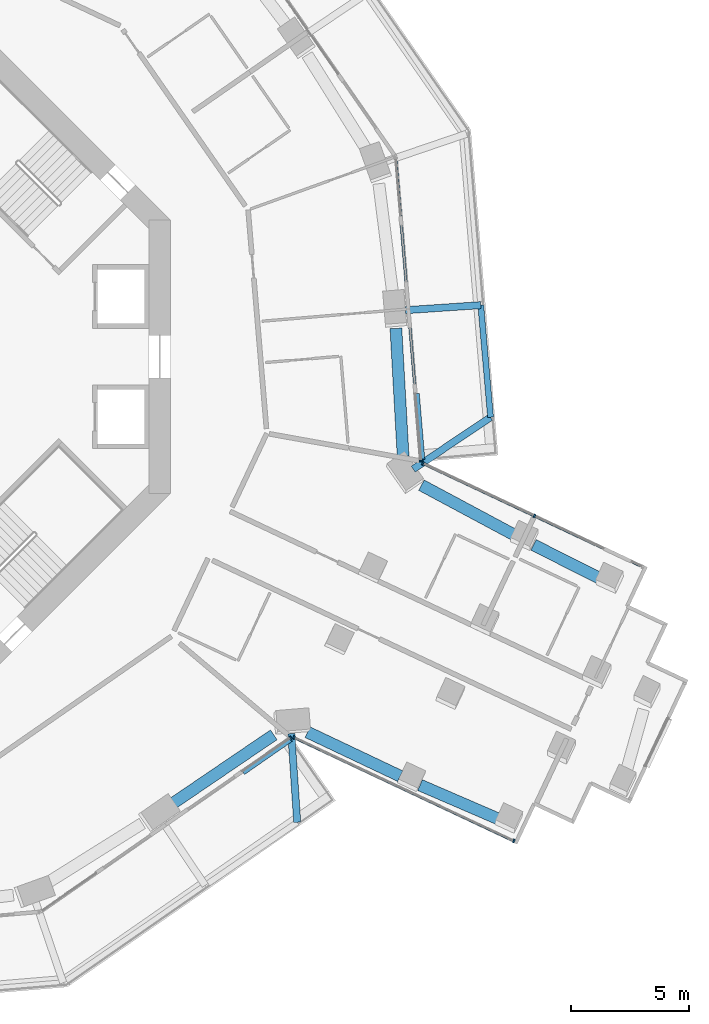
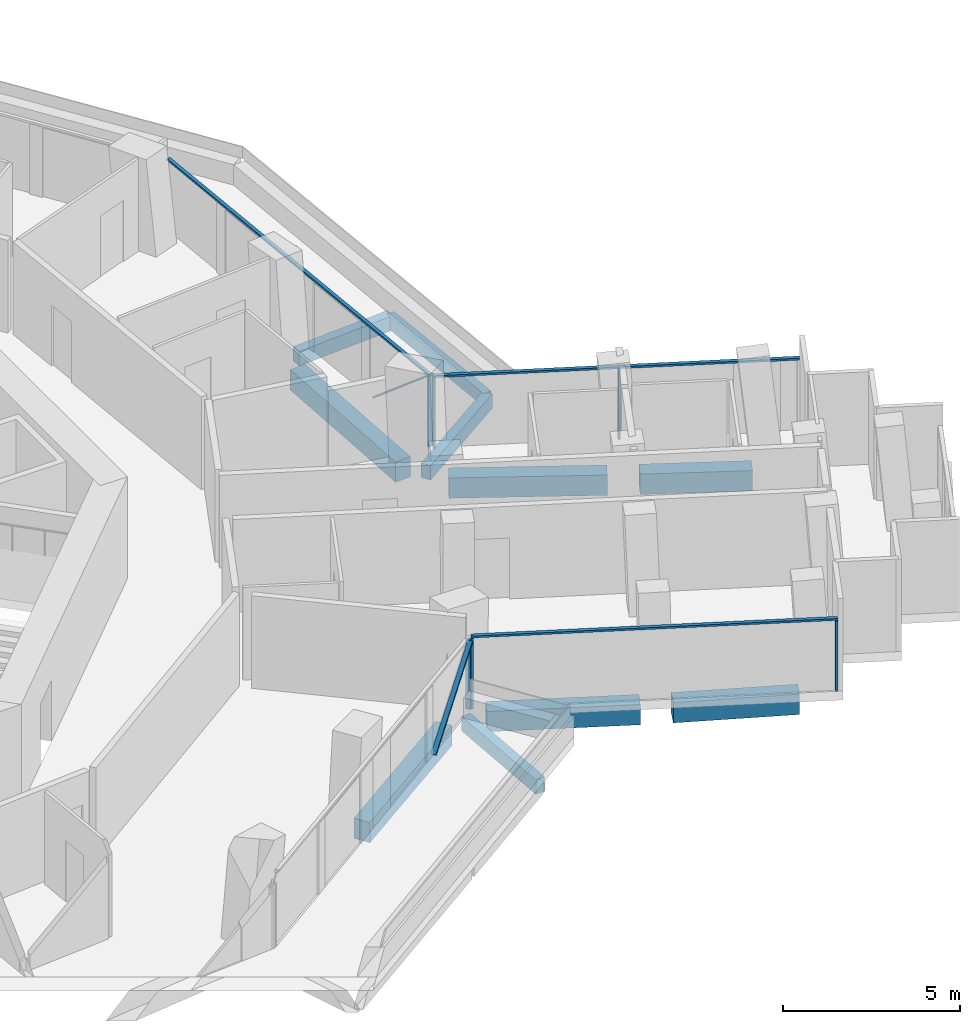
# One storey, part 6 of 26: 11 members, 10 beams, 4 elements without a shape of their own.
"""IFC4 building model written with IfcOpenShell, lengths in metres."""

from ifc_helpers import new_model, si_unit, direction, frame, origin, origin_2d, place, context, subcontext, project, spatial, rectangle, extrude, material, layer, layer_set, material_profile, profile_set, type_object, element, aggregate, save


model = new_model("IFC4")

# Units and contexts
model_context = context("Model", 3, precision=1e-05, world=origin(), true_north=direction((0.0, 1.0)))
body_context = subcontext(model_context, "Body", "Model", "MODEL_VIEW")
ifc_project = project(units=[si_unit("LENGTHUNIT", "METRE"), si_unit("AREAUNIT", "SQUARE_METRE"), si_unit("VOLUMEUNIT", "CUBIC_METRE"), si_unit("PLANEANGLEUNIT", "RADIAN"), si_unit("MASSUNIT", "GRAM", prefix="KILO")], contexts=[model_context])

# Site, building, storey
site_placement = place(None, origin())
site = spatial("IfcSite", under=ifc_project, at=site_placement, CompositionType="ELEMENT")
building_placement = place(site_placement, origin())
building = spatial("IfcBuilding", under=site, at=building_placement, Name="Verdalira Terraces Hotel", CompositionType="ELEMENT")
storey_placement = place(building_placement, frame((0.0, 0.0, 53.0)))
storey = spatial("IfcBuildingStorey", under=building, at=storey_placement, Name="L11", CompositionType="ELEMENT", Elevation=53.0)

# Beams
ifc_material_1 = material(Name="Concrete C40", Category="concrete")
ifc_material_profile_1 = material_profile(ifc_material_1, rectangle(XDim=0.300049, YDim=0.5, at=origin_2d()), Name="RC 300X500")
ifc_profile_set_1 = profile_set([ifc_material_profile_1], Name="Concrete C40")
beam_type_1 = type_object("IfcBeamType", Name="Balcony cantilever beam RC 300X500 C40", PredefinedType="BEAM", material=ifc_profile_set_1)
beam_1_placement = place(storey_placement, frame((19.130859, -15.996826, -0.560059), z_axis=(0.066961721, -0.997755545, 0.0), x_axis=(0.997755545, 0.066961721, 0.0)))
element("IfcBeam", 1, at=beam_1_placement, inside=storey, type_object=beam_type_1, Name="Balcony cantilever beam R26-5", PredefinedType="BEAM", context=body_context, shape_type="SweptSolid", body=[
    extrude(rectangle(XDim=0.300049, YDim=0.5, at=origin_2d()), origin(), (0.0, 0.0, 1.0), 3.77002),
])
beam_2_placement = place(storey_placement, frame((24.305664, -4.772705, -0.560059), z_axis=(0.830602176, 0.556866255, 0.0), x_axis=(-0.556866255, 0.830602176, 0.0)))
element("IfcBeam", 2, at=beam_2_placement, inside=storey, type_object=beam_type_1, Name="Balcony cantilever beam R39-1", PredefinedType="BEAM", context=body_context, shape_type="SweptSolid", body=[
    extrude(rectangle(XDim=0.300049, YDim=0.5, at=origin_2d()), origin(), (0.0, 0.0, 1.0), 3.950195),
])
beam_3_placement = place(storey_placement, frame((23.977295, 1.970703, -0.560059), z_axis=(0.997755019, 0.066969567, 0.0), x_axis=(-0.066969567, 0.997755019, 0.0)))
element("IfcBeam", 3, at=beam_3_placement, inside=storey, type_object=beam_type_1, Name="Balcony cantilever beam R39-2", PredefinedType="BEAM", context=body_context, shape_type="SweptSolid", body=[
    extrude(rectangle(XDim=0.300049, YDim=0.5, at=origin_2d()), origin(), (0.0, 0.0, 1.0), 3.200684),
])
ifc_material_2 = material(Name="Concrete C40", Category="concrete")
ifc_material_profile_2 = material_profile(ifc_material_2, rectangle(XDim=0.25, YDim=0.449951, at=origin_2d()), Name="RC 250X450")
ifc_profile_set_2 = profile_set([ifc_material_profile_2], Name="Concrete C40")
beam_type_2 = type_object("IfcBeamType", Name="Balcony edge beam RC 250X450 C40", PredefinedType="BEAM", material=ifc_profile_set_2)
beam_4_placement = place(storey_placement, frame((27.58667, -2.572998, -0.534912), z_axis=(-0.08705091, 0.996203864, 0.0), x_axis=(-0.996203864, -0.08705091, 0.0)))
element("IfcBeam", 4, at=beam_4_placement, inside=storey, type_object=beam_type_2, Name="Balcony edge beam R39-1", PredefinedType="BEAM", context=body_context, shape_type="SweptSolid", body=[
    extrude(rectangle(XDim=0.25, YDim=0.449951, at=origin_2d()), origin(), (0.0, 0.0, 1.0), 4.776123),
])

# Curtain wall, member
ifc_material_3 = material(Name="Clear glass", Category="glass")
ifc_layer_1 = layer(ifc_material_3, 0.14990234375)
ifc_layer_set_1 = layer_set([ifc_layer_1], Name="CW1 curtain wall")
curtain_wall_type_1 = type_object("IfcCurtainWallType", Name="CW1 curtain wall", PredefinedType="NOTDEFINED", material=ifc_layer_set_1)
curtain_wall_1_placement = place(storey_placement, origin())
curtain_wall_1 = element("IfcCurtainWall", 5, at=curtain_wall_1_placement, inside=storey, type_object=curtain_wall_type_1, Name="CW1 curtain wall L11 edge 27", PredefinedType="NOTDEFINED")
ifc_material_4 = material(Name="Terracotta frame", Category="masonry")
ifc_material_profile_3 = material_profile(ifc_material_4, rectangle(XDim=0.060059, YDim=0.149902, at=origin_2d()), Name="MU 60x150")
ifc_profile_set_3 = profile_set([ifc_material_profile_3], Name="Terracotta frame")
member_type_1 = type_object("IfcMemberType", Name="CW1 mullion 60x150", PredefinedType="MULLION", material=ifc_profile_set_3)
member_1_placement = place(storey_placement, frame((19.114502, -16.165527, 0.0), z_axis=(0.0, 0.0, 1.0), x_axis=(0.821149209, 0.570713568, 0.0)))
member_1 = element("IfcMember", 6, at=member_1_placement, type_object=member_type_1, Name="CW1 mullion", PredefinedType="MULLION", context=body_context, shape_type="SweptSolid", body=[
    extrude(rectangle(XDim=0.060059, YDim=0.149902, at=origin_2d()), origin(), (0.0, 0.0, 1.0), 2.425049),
])

# Curtain wall, members
curtain_wall_2_placement = place(storey_placement, origin())
curtain_wall_2 = element("IfcCurtainWall", 7, at=curtain_wall_2_placement, inside=storey, type_object=curtain_wall_type_1, Name="CW1 curtain wall L11 edge 39", PredefinedType="NOTDEFINED")
member_2_placement = place(storey_placement, frame((24.639893, -4.423584, 0.0), z_axis=(0.0, 0.0, 1.0), x_axis=(-0.083677843, 0.996492859, 0.0)))
member_2 = element("IfcMember", 8, at=member_2_placement, type_object=member_type_1, Name="CW1 mullion", PredefinedType="MULLION", context=body_context, shape_type="SweptSolid", body=[
    extrude(rectangle(XDim=0.060059, YDim=0.149902, at=origin_2d()), origin(), (0.0, 0.0, 1.0), 2.425049),
])
ifc_material_5 = material(Name="Terracotta frame", Category="masonry")
ifc_material_profile_4 = material_profile(ifc_material_5, rectangle(XDim=0.110107, YDim=0.064941, at=origin_2d()), Name="TR 65x110")
ifc_profile_set_4 = profile_set([ifc_material_profile_4], Name="Terracotta frame")
member_type_2 = type_object("IfcMemberType", Name="CW1 transom 65x110", PredefinedType="USERDEFINED", material=ifc_profile_set_4)
member_3_placement = place(storey_placement, frame((24.642334, -4.453613, 2.45752), z_axis=(-0.083679991, 0.996492679, 0.0), x_axis=(-0.996492679, -0.083679991, 0.0)))
member_3 = element("IfcMember", 9, at=member_3_placement, type_object=member_type_2, Name="CW1 transom", ObjectType="TRANSOM", PredefinedType="USERDEFINED", context=body_context, shape_type="SweptSolid", body=[
    extrude(rectangle(XDim=0.110107, YDim=0.064941, at=origin_2d()), origin(), (0.0, 0.0, 1.0), 12.959717),
])

ifc_material_6 = material(Name="Clear glass", Category="glass")
ifc_layer_2 = layer(ifc_material_6, 0.14990234375)
ifc_layer_set_2 = layer_set([ifc_layer_2], Name="CW2 curtain wall")
curtain_wall_type_2 = type_object("IfcCurtainWallType", Name="CW2 curtain wall", PredefinedType="NOTDEFINED", material=ifc_layer_set_2)
curtain_wall_3_placement = place(storey_placement, origin())
curtain_wall_3 = element("IfcCurtainWall", 10, at=curtain_wall_3_placement, inside=storey, type_object=curtain_wall_type_2, Name="CW2 curtain wall L11 edge 28", PredefinedType="NOTDEFINED")
ifc_material_7 = material(Name="Terracotta frame", Category="masonry")
ifc_material_profile_5 = material_profile(ifc_material_7, rectangle(XDim=0.070068, YDim=0.149902, at=origin_2d()), Name="MU 70x150")
ifc_profile_set_5 = profile_set([ifc_material_profile_5], Name="Terracotta frame")
member_type_3 = type_object("IfcMemberType", Name="CW2 mullion 70x150", PredefinedType="MULLION", material=ifc_profile_set_5)
member_4_placement = place(storey_placement, frame((19.245605, -16.157227, 0.0), z_axis=(0.0, 0.0, 1.0), x_axis=(0.904827052, -0.425779292, 0.0)))
member_4 = element("IfcMember", 11, at=member_4_placement, type_object=member_type_3, Name="CW2 mullion", PredefinedType="MULLION", context=body_context, shape_type="SweptSolid", body=[
    extrude(rectangle(XDim=0.070068, YDim=0.149902, at=origin_2d()), origin(), (0.0, 0.0, 1.0), 2.425049),
])
member_5_placement = place(storey_placement, frame((28.576904, -20.548096, 0.0), z_axis=(0.0, 0.0, 1.0), x_axis=(0.904827052, -0.425779292, 0.0)))
member_5 = element("IfcMember", 12, at=member_5_placement, type_object=member_type_3, Name="CW2 mullion", PredefinedType="MULLION", context=body_context, shape_type="SweptSolid", body=[
    extrude(rectangle(XDim=0.070068, YDim=0.149902, at=origin_2d()), origin(), (0.0, 0.0, 1.0), 2.425049),
])

curtain_wall_4_placement = place(storey_placement, origin())
curtain_wall_4 = element("IfcCurtainWall", 13, at=curtain_wall_4_placement, inside=storey, type_object=curtain_wall_type_2, Name="CW2 curtain wall L11 edge 38", PredefinedType="NOTDEFINED")
member_6_placement = place(storey_placement, frame((29.450439, -6.757568, 0.0), z_axis=(0.0, 0.0, 1.0), x_axis=(-0.904827052, 0.425779292, 0.0)))
member_6 = element("IfcMember", 14, at=member_6_placement, type_object=member_type_3, Name="CW2 mullion", PredefinedType="MULLION", context=body_context, shape_type="SweptSolid", body=[
    extrude(rectangle(XDim=0.070068, YDim=0.149902, at=origin_2d()), origin(), (0.0, 0.0, 1.0), 2.425049),
])
member_7_placement = place(storey_placement, frame((24.716797, -4.530029, 0.0), z_axis=(0.0, 0.0, 1.0), x_axis=(-0.904827052, 0.425779292, 0.0)))
member_7 = element("IfcMember", 15, at=member_7_placement, type_object=member_type_3, Name="CW2 mullion", PredefinedType="MULLION", context=body_context, shape_type="SweptSolid", body=[
    extrude(rectangle(XDim=0.070068, YDim=0.149902, at=origin_2d()), origin(), (0.0, 0.0, 1.0), 2.425049),
])

# Member
ifc_material_8 = material(Name="Terracotta frame", Category="masonry")
ifc_material_profile_6 = material_profile(ifc_material_8, rectangle(XDim=0.11499, YDim=0.064941, at=origin_2d()), Name="TR 65x115")
ifc_profile_set_6 = profile_set([ifc_material_profile_6], Name="Terracotta frame")
member_type_4 = type_object("IfcMemberType", Name="CW2 transom 65x115", PredefinedType="USERDEFINED", material=ifc_profile_set_6)
member_8_placement = place(storey_placement, frame((19.213867, -16.14209, 2.45752), z_axis=(0.904820834, -0.425792507, 0.0), x_axis=(0.425792507, 0.904820834, 0.0)))
member_8 = element("IfcMember", 16, at=member_8_placement, type_object=member_type_4, Name="CW2 transom", ObjectType="TRANSOM", PredefinedType="USERDEFINED", context=body_context, shape_type="SweptSolid", body=[
    extrude(rectangle(XDim=0.11499, YDim=0.064941, at=origin_2d()), origin(), (0.0, 0.0, 1.0), 10.382812),
])

aggregate(curtain_wall_3, [member_4, member_5, member_8])

member_9_placement = place(storey_placement, frame((34.079834, -8.935791, 2.45752), z_axis=(-0.904829893, 0.425773255, 0.0), x_axis=(-0.425773255, -0.904829893, 0.0)))
member_9 = element("IfcMember", 17, at=member_9_placement, type_object=member_type_4, Name="CW2 transom", ObjectType="TRANSOM", PredefinedType="USERDEFINED", context=body_context, shape_type="SweptSolid", body=[
    extrude(rectangle(XDim=0.11499, YDim=0.064941, at=origin_2d()), origin(), (0.0, 0.0, 1.0), 10.382568),
])

aggregate(curtain_wall_4, [member_6, member_7, member_9])

ifc_material_9 = material(Name="Terracotta frame", Category="masonry")
ifc_material_profile_7 = material_profile(ifc_material_9, rectangle(XDim=0.149902, YDim=0.060059, at=origin_2d()), Name="GB 60x150")
ifc_profile_set_7 = profile_set([ifc_material_profile_7], Name="Terracotta frame")
member_type_5 = type_object("IfcMemberType", Name="Diagonal glazing bar 60x150", PredefinedType="USERDEFINED", material=ifc_profile_set_7)
member_10_placement = place(storey_placement, frame((17.123779, -17.657471, 0.022949), z_axis=(0.587099049, 0.408020566, 0.699166593), x_axis=(-0.570691024, 0.821164877, 0.0)))
member_10 = element("IfcMember", 18, at=member_10_placement, type_object=member_type_5, Name="Diagonal glazing bar", ObjectType="GLAZING BAR", PredefinedType="USERDEFINED", context=body_context, shape_type="SweptSolid", body=[
    extrude(rectangle(XDim=0.149902, YDim=0.060059, at=origin_2d()), origin(), (0.0, 0.0, 1.0), 3.402832),
])

aggregate(curtain_wall_1, [member_1, member_10])

member_11_placement = place(storey_placement, frame((24.723633, -4.358154, 2.400879), z_axis=(-0.063634986, 0.757816641, -0.649357011), x_axis=(-0.996492931, -0.083676988, 0.0)))
member_11 = element("IfcMember", 19, at=member_11_placement, type_object=member_type_5, Name="Diagonal glazing bar", ObjectType="GLAZING BAR", PredefinedType="USERDEFINED", context=body_context, shape_type="SweptSolid", body=[
    extrude(rectangle(XDim=0.149902, YDim=0.060059, at=origin_2d()), origin(), (0.0, 0.0, 1.0), 3.660156),
])

aggregate(curtain_wall_2, [member_2, member_3, member_11])

# Beams
ifc_material_10 = material(Name="Concrete C70", Category="concrete")
ifc_material_profile_8 = material_profile(ifc_material_10, rectangle(XDim=0.5, YDim=0.699951, at=origin_2d()), Name="RC 500X700")
ifc_profile_set_8 = profile_set([ifc_material_profile_8], Name="Concrete C70")
beam_type_3 = type_object("IfcBeamType", Name="Spandrel beam RC 500X700 C70", PredefinedType="SPANDREL", material=ifc_profile_set_8)
beam_5_placement = place(storey_placement, frame((13.993408, -19.032959, -0.659912), z_axis=(0.827067527, 0.562102576, 0.0), x_axis=(-0.562102576, 0.827067527, 0.0)))
element("IfcBeam", 20, at=beam_5_placement, inside=storey, type_object=beam_type_3, Name="Spandrel beam B24", PredefinedType="SPANDREL", context=body_context, shape_type="SweptSolid", body=[
    extrude(rectangle(XDim=0.5, YDim=0.699951, at=origin_2d()), origin(), (0.0, 0.0, 1.0), 5.312012),
])
beam_6_placement = place(storey_placement, frame((19.824951, -15.935791, -0.659912), z_axis=(0.903448301, -0.428697058, 0.0), x_axis=(0.428697058, 0.903448301, 0.0)))
element("IfcBeam", 21, at=beam_6_placement, inside=storey, type_object=beam_type_3, Name="Spandrel beam B25", PredefinedType="SPANDREL", context=body_context, shape_type="SweptSolid", body=[
    extrude(rectangle(XDim=0.5, YDim=0.699951, at=origin_2d()), origin(), (0.0, 0.0, 1.0), 4.346924),
])
beam_7_placement = place(storey_placement, frame((24.594238, -18.18042, -0.659912), z_axis=(0.9180303, -0.396510236, 0.0), x_axis=(0.396510236, 0.9180303, 0.0)))
element("IfcBeam", 22, at=beam_7_placement, inside=storey, type_object=beam_type_3, Name="Spandrel beam B26", PredefinedType="SPANDREL", context=body_context, shape_type="SweptSolid", body=[
    extrude(rectangle(XDim=0.5, YDim=0.699951, at=origin_2d()), origin(), (0.0, 0.0, 1.0), 3.591553),
])
beam_8_placement = place(storey_placement, frame((32.250977, -9.423096, -0.659912), z_axis=(-0.892685, 0.450681141, 0.0), x_axis=(-0.450681141, -0.892685, 0.0)))
element("IfcBeam", 23, at=beam_8_placement, inside=storey, type_object=beam_type_3, Name="Spandrel beam B28", PredefinedType="SPANDREL", context=body_context, shape_type="SweptSolid", body=[
    extrude(rectangle(XDim=0.5, YDim=0.699951, at=origin_2d()), origin(), (0.0, 0.0, 1.0), 3.179443),
])
beam_9_placement = place(storey_placement, frame((28.598389, -7.566406, -0.659912), z_axis=(-0.881581356, 0.47203211, 0.0), x_axis=(-0.47203211, -0.881581356, 0.0)))
element("IfcBeam", 24, at=beam_9_placement, inside=storey, type_object=beam_type_3, Name="Spandrel beam B29", PredefinedType="SPANDREL", context=body_context, shape_type="SweptSolid", body=[
    extrude(rectangle(XDim=0.5, YDim=0.699951, at=origin_2d()), origin(), (0.0, 0.0, 1.0), 4.473877),
])
beam_10_placement = place(storey_placement, frame((23.876465, -4.23291, -0.659912), z_axis=(-0.056198416, 0.99841962, 0.0), x_axis=(-0.99841962, -0.056198416, 0.0)))
element("IfcBeam", 25, at=beam_10_placement, inside=storey, type_object=beam_type_3, Name="Spandrel beam B30", PredefinedType="SPANDREL", context=body_context, shape_type="SweptSolid", body=[
    extrude(rectangle(XDim=0.5, YDim=0.699951, at=origin_2d()), origin(), (0.0, 0.0, 1.0), 5.438965),
])

save(model, "model.ifc")
